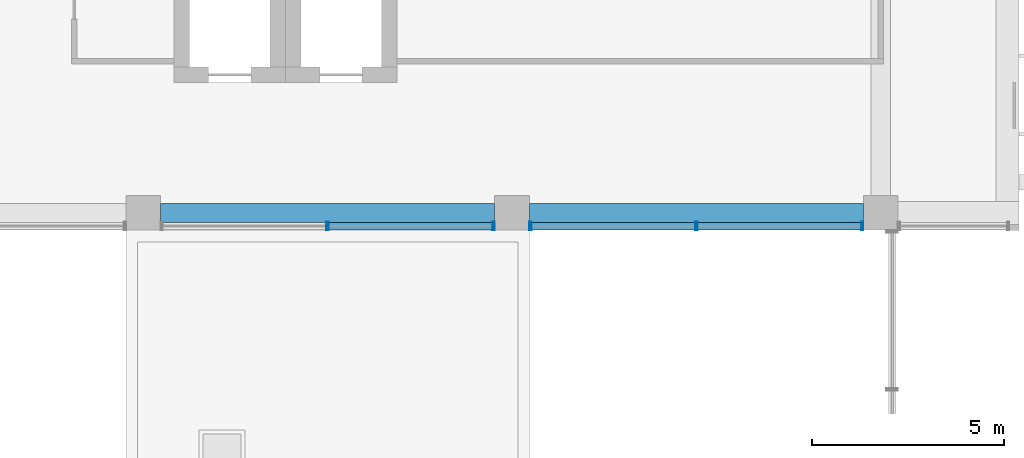
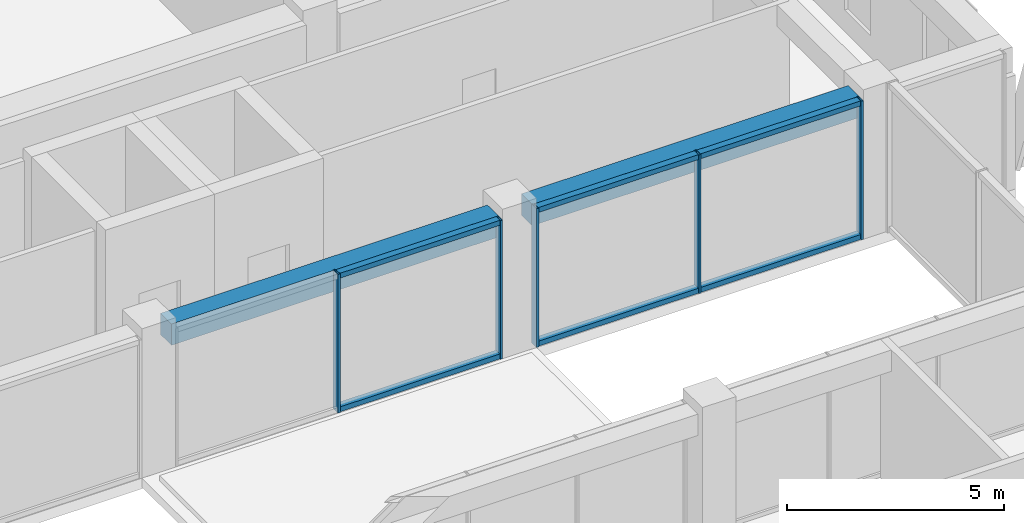
# One storey, part 18 of 38: 11 members, 2 beams, 2 elements without a shape of their own.
"""IFC4 building model written with IfcOpenShell, lengths in metres."""

from ifc_helpers import new_model, si_unit, direction, frame, origin, origin_2d, place, context, subcontext, project, spatial, rectangle, hollow_rectangle, extrude, material, layer, layer_set, material_profile, profile_set, type_object, element, aggregate, save


model = new_model("IFC4")

# Units and contexts
model_context = context("Model", 3, precision=1e-05, world=origin(), true_north=direction((0.0, 1.0)))
body_context = subcontext(model_context, "Body", "Model", "MODEL_VIEW")
ifc_project = project(units=[si_unit("LENGTHUNIT", "METRE"), si_unit("AREAUNIT", "SQUARE_METRE"), si_unit("VOLUMEUNIT", "CUBIC_METRE"), si_unit("PLANEANGLEUNIT", "RADIAN"), si_unit("MASSUNIT", "GRAM", prefix="KILO")], contexts=[model_context])

# Site, building, storey
site_placement = place(None, origin())
site = spatial("IfcSite", under=ifc_project, at=site_placement, CompositionType="ELEMENT")
building_placement = place(site_placement, origin())
building = spatial("IfcBuilding", under=site, at=building_placement, Name="Nzadi Deep Aquarium and Research Tower", CompositionType="ELEMENT")
storey_placement = place(building_placement, frame((0.0, 0.0, 52.89990234375)))
storey = spatial("IfcBuildingStorey", under=building, at=storey_placement, Name="L10", CompositionType="ELEMENT", Elevation=52.89990234375)

# Curtain wall, members
ifc_material_1 = material(Name="Aluminium unitised frame deep", Category="aluminium")
ifc_layer = layer(ifc_material_1, 0.22509765625)
ifc_layer_set = layer_set([ifc_layer], Name="Aluminium unitised frame deep")
curtain_wall_type = type_object("IfcCurtainWallType", Name="Curtain wall Unitised Deep 225", PredefinedType="NOTDEFINED", material=ifc_layer_set)
curtain_wall_1_placement = place(storey_placement, origin())
curtain_wall_1 = element("IfcCurtainWall", 1, at=curtain_wall_1_placement, inside=storey, type_object=curtain_wall_type, Name="Unitised curtain wall blade B south L10", PredefinedType="NOTDEFINED")
ifc_material_2 = material(Name="Aluminium unitised frame deep", Category="aluminium")
ifc_material_profile_1 = material_profile(ifc_material_2, hollow_rectangle(XDim=0.22509765625, YDim=0.06005859375, WallThickness=0.0048828125, at=origin_2d()))
ifc_profile_set_1 = profile_set([ifc_material_profile_1], Name="Aluminium unitised frame deep")
member_type_1 = type_object("IfcMemberType", Name="Mullion 60x225 Unitised Deep", PredefinedType="MULLION", material=ifc_profile_set_1)
member_1_placement = place(storey_placement, frame((33.60009765625, 27.262451171875, 0.0), z_axis=(0.0, 0.0, 1.0), x_axis=(0.0, 1.0, 0.0)))
member_1 = element("IfcMember", 2, at=member_1_placement, type_object=member_type_1, Name="CW131 mullion 2", PredefinedType="MULLION", context=body_context, shape_type="SweptSolid", body=[
    extrude(hollow_rectangle(XDim=0.22509765625, YDim=0.06005859375, WallThickness=0.0048828125, at=origin_2d()), origin(), (0.0, 0.0, 1.0), 3.900146484375),
])
member_2_placement = place(storey_placement, frame((37.919921875, 27.262451171875, 0.0), z_axis=(0.0, 0.0, 1.0), x_axis=(0.0, 1.0, 0.0)))
member_2 = element("IfcMember", 3, at=member_2_placement, type_object=member_type_1, Name="CW131 mullion 3", PredefinedType="MULLION", context=body_context, shape_type="SweptSolid", body=[
    extrude(hollow_rectangle(XDim=0.22509765625, YDim=0.06005859375, WallThickness=0.0048828125, at=origin_2d()), origin(), (0.0, 0.0, 1.0), 3.900146484375),
])

curtain_wall_2_placement = place(storey_placement, origin())
curtain_wall_2 = element("IfcCurtainWall", 4, at=curtain_wall_2_placement, inside=storey, type_object=curtain_wall_type, Name="Unitised curtain wall blade B south L10", PredefinedType="NOTDEFINED")
member_3_placement = place(storey_placement, frame((38.8798828125, 27.262451171875, 0.0), z_axis=(0.0, 0.0, 1.0), x_axis=(0.0, 1.0, 0.0)))
member_3 = element("IfcMember", 5, at=member_3_placement, type_object=member_type_1, Name="CW132 mullion 1", PredefinedType="MULLION", context=body_context, shape_type="SweptSolid", body=[
    extrude(hollow_rectangle(XDim=0.22509765625, YDim=0.06005859375, WallThickness=0.0048828125, at=origin_2d()), origin(), (0.0, 0.0, 1.0), 3.900146484375),
])
member_4_placement = place(storey_placement, frame((43.199951171875, 27.262451171875, 0.0), z_axis=(0.0, 0.0, 1.0), x_axis=(0.0, 1.0, 0.0)))
member_4 = element("IfcMember", 6, at=member_4_placement, type_object=member_type_1, Name="CW132 mullion 2", PredefinedType="MULLION", context=body_context, shape_type="SweptSolid", body=[
    extrude(hollow_rectangle(XDim=0.22509765625, YDim=0.06005859375, WallThickness=0.0048828125, at=origin_2d()), origin(), (0.0, 0.0, 1.0), 3.900146484375),
])
member_5_placement = place(storey_placement, frame((47.52001953125, 27.262451171875, 0.0), z_axis=(0.0, 0.0, 1.0), x_axis=(0.0, 1.0, 0.0)))
member_5 = element("IfcMember", 7, at=member_5_placement, type_object=member_type_1, Name="CW132 mullion 3", PredefinedType="MULLION", context=body_context, shape_type="SweptSolid", body=[
    extrude(hollow_rectangle(XDim=0.22509765625, YDim=0.06005859375, WallThickness=0.0048828125, at=origin_2d()), origin(), (0.0, 0.0, 1.0), 3.900146484375),
])

# Beams
ifc_material_3 = material(Name="Concrete C35/45", Category="concrete")
ifc_material_profile_2 = material_profile(ifc_material_3, rectangle(XDim=0.5, YDim=0.60009765625, at=origin_2d()))
ifc_profile_set_2 = profile_set([ifc_material_profile_2], Name="Concrete C35/45")
beam_type = type_object("IfcBeamType", Name="RC 500x600", PredefinedType="BEAM", material=ifc_profile_set_2)
for number, where, z_axis, x_axis, name in (
    (8, (29.25, 27.60009765625, 3.60009765625), (1.0, 0.0, 0.0), (0.0, 1.0, 0.0), "B-Z1-L10-L4-4"),
    (9, (38.85009765625, 27.60009765625, 3.60009765625), (1.0, 0.0, 0.0), (0.0, 1.0, 0.0), "B-Z1-L10-L4-5"),
):
    element("IfcBeam", number, at=place(storey_placement, frame(where, z_axis=z_axis, x_axis=x_axis)), inside=storey, type_object=beam_type, Name=name, PredefinedType="BEAM", context=body_context, shape_type="SweptSolid", body=[
        extrude(rectangle(XDim=0.5, YDim=0.60009765625, at=origin_2d()), origin(), (0.0, 0.0, 1.0), 8.699951171875),
    ])

# Member
ifc_material_4 = material(Name="Aluminium unitised frame deep", Category="aluminium")
ifc_material_profile_3 = material_profile(ifc_material_4, hollow_rectangle(XDim=0.179931640625, YDim=0.139892578125, WallThickness=0.0048828125, at=origin_2d()))
ifc_profile_set_3 = profile_set([ifc_material_profile_3], Name="Aluminium unitised frame deep")
member_type_2 = type_object("IfcMemberType", Name="Transom 140x180 Unitised Deep", PredefinedType="MULLION", material=ifc_profile_set_3)
member_6_placement = place(storey_placement, frame((33.6298828125, 27.262451171875, 0.070068359375), z_axis=(1.0, 0.0, 0.0), x_axis=(0.0, 1.0, 0.0)))
member_6 = element("IfcMember", 10, at=member_6_placement, type_object=member_type_2, Name="CW131 transom 2.1", PredefinedType="MULLION", context=body_context, shape_type="SweptSolid", body=[
    extrude(hollow_rectangle(XDim=0.179931640625, YDim=0.139892578125, WallThickness=0.0048828125, at=origin_2d()), origin(), (0.0, 0.0, 1.0), 4.260009765625),
])

member_7_placement = place(storey_placement, frame((33.6298828125, 27.262451171875, 3.830078125), z_axis=(1.0, 0.0, 0.0), x_axis=(0.0, 1.0, 0.0)))
member_7 = element("IfcMember", 11, at=member_7_placement, type_object=member_type_2, Name="CW131 transom 2.2", PredefinedType="MULLION", context=body_context, shape_type="SweptSolid", body=[
    extrude(hollow_rectangle(XDim=0.179931640625, YDim=0.139892578125, WallThickness=0.0048828125, at=origin_2d()), origin(), (0.0, 0.0, 1.0), 4.260009765625),
])

aggregate(curtain_wall_1, [member_1, member_2, member_6, member_7])

member_8_placement = place(storey_placement, frame((38.909912109375, 27.262451171875, 0.070068359375), z_axis=(1.0, 0.0, 0.0), x_axis=(0.0, 1.0, 0.0)))
member_8 = element("IfcMember", 12, at=member_8_placement, type_object=member_type_2, Name="CW132 transom 1.1", PredefinedType="MULLION", context=body_context, shape_type="SweptSolid", body=[
    extrude(hollow_rectangle(XDim=0.179931640625, YDim=0.139892578125, WallThickness=0.0048828125, at=origin_2d()), origin(), (0.0, 0.0, 1.0), 4.260009765625),
])

member_9_placement = place(storey_placement, frame((38.909912109375, 27.262451171875, 3.830078125), z_axis=(1.0, 0.0, 0.0), x_axis=(0.0, 1.0, 0.0)))
member_9 = element("IfcMember", 13, at=member_9_placement, type_object=member_type_2, Name="CW132 transom 1.2", PredefinedType="MULLION", context=body_context, shape_type="SweptSolid", body=[
    extrude(hollow_rectangle(XDim=0.179931640625, YDim=0.139892578125, WallThickness=0.0048828125, at=origin_2d()), origin(), (0.0, 0.0, 1.0), 4.260009765625),
])

member_10_placement = place(storey_placement, frame((43.22998046875, 27.262451171875, 0.070068359375), z_axis=(1.0, 0.0, 0.0), x_axis=(0.0, 1.0, 0.0)))
member_10 = element("IfcMember", 14, at=member_10_placement, type_object=member_type_2, Name="CW132 transom 2.1", PredefinedType="MULLION", context=body_context, shape_type="SweptSolid", body=[
    extrude(hollow_rectangle(XDim=0.179931640625, YDim=0.139892578125, WallThickness=0.0048828125, at=origin_2d()), origin(), (0.0, 0.0, 1.0), 4.260009765625),
])

member_11_placement = place(storey_placement, frame((43.22998046875, 27.262451171875, 3.830078125), z_axis=(1.0, 0.0, 0.0), x_axis=(0.0, 1.0, 0.0)))
member_11 = element("IfcMember", 15, at=member_11_placement, type_object=member_type_2, Name="CW132 transom 2.2", PredefinedType="MULLION", context=body_context, shape_type="SweptSolid", body=[
    extrude(hollow_rectangle(XDim=0.179931640625, YDim=0.139892578125, WallThickness=0.0048828125, at=origin_2d()), origin(), (0.0, 0.0, 1.0), 4.260009765625),
])

aggregate(curtain_wall_2, [member_3, member_4, member_5, member_8, member_9, member_10, member_11])

save(model, "model.ifc")
